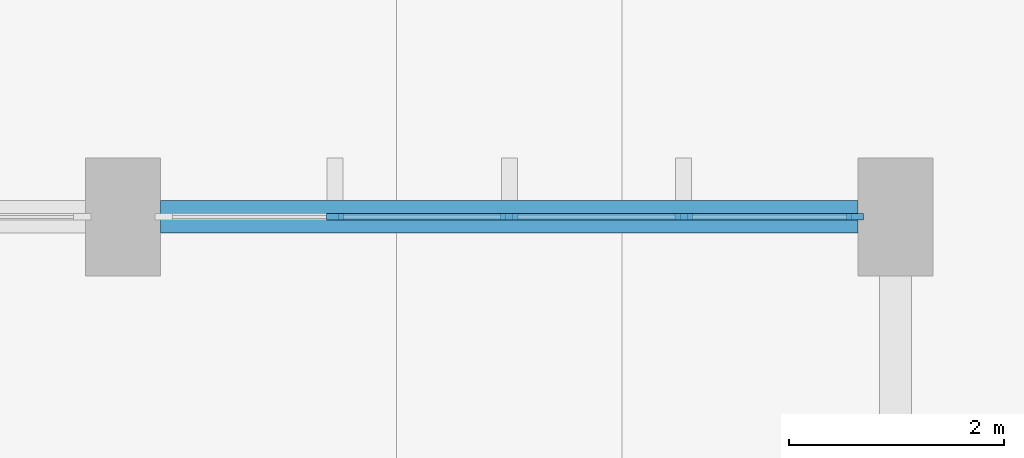
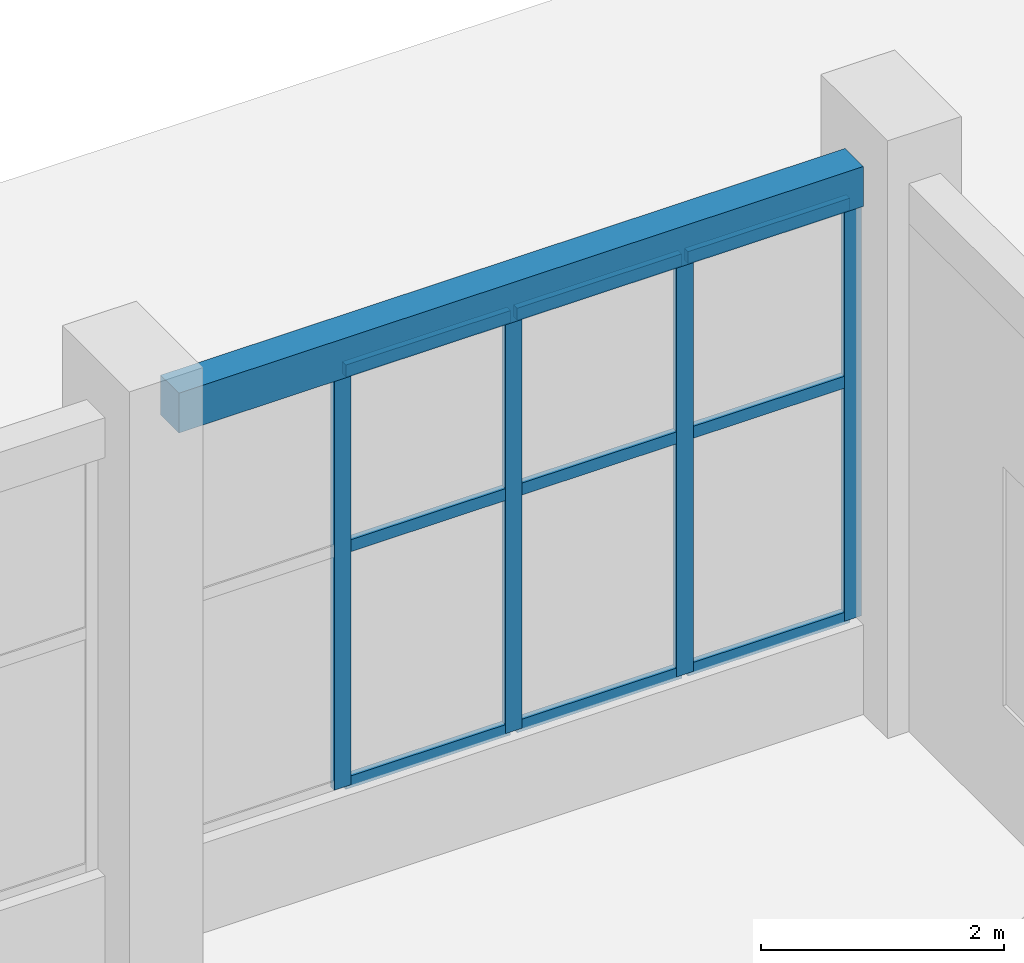
# One storey, part 26 of 70: 13 members, 1 beam, 1 element without a shape of its own.
"""IFC4 building model written with IfcOpenShell, lengths in metres."""

from ifc_helpers import new_model, si_unit, direction, frame, origin, origin_2d, place, context, subcontext, project, spatial, rectangle, extrude, material, layer, layer_set, material_profile, profile_set, type_object, element, aggregate, save


model = new_model("IFC4")

# Units and contexts
model_context = context("Model", 3, precision=1e-05, world=origin(), true_north=direction((0.0, 1.0)))
body_context = subcontext(model_context, "Body", "Model", "MODEL_VIEW")
ifc_project = project(units=[si_unit("LENGTHUNIT", "METRE"), si_unit("AREAUNIT", "SQUARE_METRE"), si_unit("VOLUMEUNIT", "CUBIC_METRE"), si_unit("PLANEANGLEUNIT", "RADIAN"), si_unit("MASSUNIT", "GRAM", prefix="KILO")], contexts=[model_context])

# Site, building, storey
site_placement = place(None, origin())
site = spatial("IfcSite", under=ifc_project, at=site_placement, CompositionType="ELEMENT")
building_placement = place(site_placement, origin())
building = spatial("IfcBuilding", under=site, at=building_placement, Name="Vermilion Court Aquatics Centre", CompositionType="ELEMENT")
storey_placement = place(building_placement, origin())
storey = spatial("IfcBuildingStorey", under=building, at=storey_placement, Name="L00", CompositionType="ELEMENT", Elevation=0.0)

# Curtain wall, members
ifc_material_1 = material(Name="Aluminium 6063-T5", Category="aluminium")
ifc_layer = layer(ifc_material_1, 0.14990234375)
ifc_layer_set = layer_set([ifc_layer], Name="Podium curtain wall bay, 1800 module")
curtain_wall_type = type_object("IfcCurtainWallType", Name="Podium curtain wall bay, 1800 module", PredefinedType="NOTDEFINED", material=ifc_layer_set)
curtain_wall_placement = place(storey_placement, origin())
curtain_wall = element("IfcCurtainWall", 1, at=curtain_wall_placement, inside=storey, type_object=curtain_wall_type, Name="Curtain wall L00", PredefinedType="NOTDEFINED")
ifc_material_2 = material(Name="Aluminium 6063-T5", Category="aluminium")
ifc_material_profile_1 = material_profile(ifc_material_2, rectangle(XDim=0.06005859375, YDim=0.159912109375, at=origin_2d()), Name="Mullion 60x160")
ifc_profile_set_1 = profile_set([ifc_material_profile_1], Name="Aluminium 6063-T5")
member_type_1 = type_object("IfcMemberType", Name="Podium curtain wall mullion 60x160", PredefinedType="MULLION", material=ifc_profile_set_1)
member_1_placement = place(storey_placement, frame((189.175048828125, 115.199951171875, 0.89990234375), z_axis=(0.0, 0.0, 1.0), x_axis=(0.0, 1.0, 0.0)))
member_1 = element("IfcMember", 2, at=member_1_placement, type_object=member_type_1, Name="PG2 mullion 2", PredefinedType="MULLION", context=body_context, shape_type="SweptSolid", body=[
    extrude(rectangle(XDim=0.06005859375, YDim=0.159912109375, at=origin_2d()), origin(), (0.0, 0.0, 1.0), 4.2001953125),
])
member_2_placement = place(storey_placement, frame((190.800048828125, 115.199951171875, 0.89990234375), z_axis=(0.0, 0.0, 1.0), x_axis=(0.0, 1.0, 0.0)))
member_2 = element("IfcMember", 3, at=member_2_placement, type_object=member_type_1, Name="PG2 mullion 3", PredefinedType="MULLION", context=body_context, shape_type="SweptSolid", body=[
    extrude(rectangle(XDim=0.06005859375, YDim=0.159912109375, at=origin_2d()), origin(), (0.0, 0.0, 1.0), 4.2001953125),
])
member_3_placement = place(storey_placement, frame((192.425048828125, 115.199951171875, 0.89990234375), z_axis=(0.0, 0.0, 1.0), x_axis=(0.0, 1.0, 0.0)))
member_3 = element("IfcMember", 4, at=member_3_placement, type_object=member_type_1, Name="PG2 mullion 4", PredefinedType="MULLION", context=body_context, shape_type="SweptSolid", body=[
    extrude(rectangle(XDim=0.06005859375, YDim=0.159912109375, at=origin_2d()), origin(), (0.0, 0.0, 1.0), 4.2001953125),
])
member_4_placement = place(storey_placement, frame((194.02001953125, 115.199951171875, 0.89990234375), z_axis=(0.0, 0.0, 1.0), x_axis=(0.0, 1.0, 0.0)))
member_4 = element("IfcMember", 5, at=member_4_placement, type_object=member_type_1, Name="PG2 mullion 5", PredefinedType="MULLION", context=body_context, shape_type="SweptSolid", body=[
    extrude(rectangle(XDim=0.06005859375, YDim=0.159912109375, at=origin_2d()), origin(), (0.0, 0.0, 1.0), 4.2001953125),
])
ifc_material_3 = material(Name="Aluminium 6063-T5", Category="aluminium")
ifc_material_profile_2 = material_profile(ifc_material_3, rectangle(XDim=0.06005859375, YDim=0.1201171875, at=origin_2d()), Name="Transom 60x120")
ifc_profile_set_2 = profile_set([ifc_material_profile_2], Name="Aluminium 6063-T5")
member_type_2 = type_object("IfcMemberType", Name="Podium curtain wall transom 60x120", PredefinedType="USERDEFINED", material=ifc_profile_set_2)
member_5_placement = place(storey_placement, frame((189.205078125, 115.199951171875, 0.929931640625), z_axis=(1.0, 0.0, 0.0), x_axis=(0.0, 1.0, 0.0)))
member_5 = element("IfcMember", 6, at=member_5_placement, type_object=member_type_2, Name="PG2 transom 2.1", ObjectType="TRANSOM", PredefinedType="USERDEFINED", context=body_context, shape_type="SweptSolid", body=[
    extrude(rectangle(XDim=0.06005859375, YDim=0.1201171875, at=origin_2d()), origin(), (0.0, 0.0, 1.0), 1.56494140625),
])
member_6_placement = place(storey_placement, frame((189.205078125, 115.199951171875, 3.300048828125), z_axis=(1.0, 0.0, 0.0), x_axis=(0.0, 1.0, 0.0)))
member_6 = element("IfcMember", 7, at=member_6_placement, type_object=member_type_2, Name="PG2 transom 2.2", ObjectType="TRANSOM", PredefinedType="USERDEFINED", context=body_context, shape_type="SweptSolid", body=[
    extrude(rectangle(XDim=0.06005859375, YDim=0.1201171875, at=origin_2d()), origin(), (0.0, 0.0, 1.0), 1.56494140625),
])
member_7_placement = place(storey_placement, frame((189.205078125, 115.199951171875, 5.070068359375), z_axis=(1.0, 0.0, 0.0), x_axis=(0.0, 1.0, 0.0)))
member_7 = element("IfcMember", 8, at=member_7_placement, type_object=member_type_2, Name="PG2 transom 2.3", ObjectType="TRANSOM", PredefinedType="USERDEFINED", context=body_context, shape_type="SweptSolid", body=[
    extrude(rectangle(XDim=0.06005859375, YDim=0.1201171875, at=origin_2d()), origin(), (0.0, 0.0, 1.0), 1.56494140625),
])
member_8_placement = place(storey_placement, frame((190.830078125, 115.199951171875, 0.929931640625), z_axis=(1.0, 0.0, 0.0), x_axis=(0.0, 1.0, 0.0)))
member_8 = element("IfcMember", 9, at=member_8_placement, type_object=member_type_2, Name="PG2 transom 3.1", ObjectType="TRANSOM", PredefinedType="USERDEFINED", context=body_context, shape_type="SweptSolid", body=[
    extrude(rectangle(XDim=0.06005859375, YDim=0.1201171875, at=origin_2d()), origin(), (0.0, 0.0, 1.0), 1.56494140625),
])
member_9_placement = place(storey_placement, frame((190.830078125, 115.199951171875, 3.300048828125), z_axis=(1.0, 0.0, 0.0), x_axis=(0.0, 1.0, 0.0)))
member_9 = element("IfcMember", 10, at=member_9_placement, type_object=member_type_2, Name="PG2 transom 3.2", ObjectType="TRANSOM", PredefinedType="USERDEFINED", context=body_context, shape_type="SweptSolid", body=[
    extrude(rectangle(XDim=0.06005859375, YDim=0.1201171875, at=origin_2d()), origin(), (0.0, 0.0, 1.0), 1.56494140625),
])
member_10_placement = place(storey_placement, frame((190.830078125, 115.199951171875, 5.070068359375), z_axis=(1.0, 0.0, 0.0), x_axis=(0.0, 1.0, 0.0)))
member_10 = element("IfcMember", 11, at=member_10_placement, type_object=member_type_2, Name="PG2 transom 3.3", ObjectType="TRANSOM", PredefinedType="USERDEFINED", context=body_context, shape_type="SweptSolid", body=[
    extrude(rectangle(XDim=0.06005859375, YDim=0.1201171875, at=origin_2d()), origin(), (0.0, 0.0, 1.0), 1.56494140625),
])
member_11_placement = place(storey_placement, frame((192.455078125, 115.199951171875, 0.929931640625), z_axis=(1.0, 0.0, 0.0), x_axis=(0.0, 1.0, 0.0)))
member_11 = element("IfcMember", 12, at=member_11_placement, type_object=member_type_2, Name="PG2 transom 4.1", ObjectType="TRANSOM", PredefinedType="USERDEFINED", context=body_context, shape_type="SweptSolid", body=[
    extrude(rectangle(XDim=0.06005859375, YDim=0.1201171875, at=origin_2d()), origin(), (0.0, 0.0, 1.0), 1.534912109375),
])
member_12_placement = place(storey_placement, frame((192.455078125, 115.199951171875, 3.300048828125), z_axis=(1.0, 0.0, 0.0), x_axis=(0.0, 1.0, 0.0)))
member_12 = element("IfcMember", 13, at=member_12_placement, type_object=member_type_2, Name="PG2 transom 4.2", ObjectType="TRANSOM", PredefinedType="USERDEFINED", context=body_context, shape_type="SweptSolid", body=[
    extrude(rectangle(XDim=0.06005859375, YDim=0.1201171875, at=origin_2d()), origin(), (0.0, 0.0, 1.0), 1.534912109375),
])
member_13_placement = place(storey_placement, frame((192.455078125, 115.199951171875, 5.070068359375), z_axis=(1.0, 0.0, 0.0), x_axis=(0.0, 1.0, 0.0)))
member_13 = element("IfcMember", 14, at=member_13_placement, type_object=member_type_2, Name="PG2 transom 4.3", ObjectType="TRANSOM", PredefinedType="USERDEFINED", context=body_context, shape_type="SweptSolid", body=[
    extrude(rectangle(XDim=0.06005859375, YDim=0.1201171875, at=origin_2d()), origin(), (0.0, 0.0, 1.0), 1.534912109375),
])
aggregate(curtain_wall, [member_1, member_2, member_3, member_4, member_5, member_6, member_7, member_8, member_9, member_10, member_11, member_12, member_13])

# Beam
ifc_material_4 = material(Name="Concrete 5000 psi", Category="concrete")
ifc_material_profile_3 = material_profile(ifc_material_4, rectangle(XDim=0.300048828125, YDim=0.39990234375, at=origin_2d()), Name="RC 300x400")
ifc_profile_set_3 = profile_set([ifc_material_profile_3], Name="Concrete 5000 psi")
beam_type = type_object("IfcBeamType", Name="Podium spandrel beam RC 300x400", PredefinedType="BEAM", material=ifc_profile_set_3)
beam_placement = place(storey_placement, frame((187.550048828125, 115.199951171875, 5.300048828125), z_axis=(1.0, 0.0, 0.0), x_axis=(0.0, 1.0, 0.0)))
element("IfcBeam", 15, at=beam_placement, inside=storey, type_object=beam_type, Name="Spandrel beam L00", PredefinedType="BEAM", context=body_context, shape_type="SweptSolid", body=[
    extrude(rectangle(XDim=0.300048828125, YDim=0.39990234375, at=origin_2d()), origin(), (0.0, 0.0, 1.0), 6.5),
])

save(model, "model.ifc")
